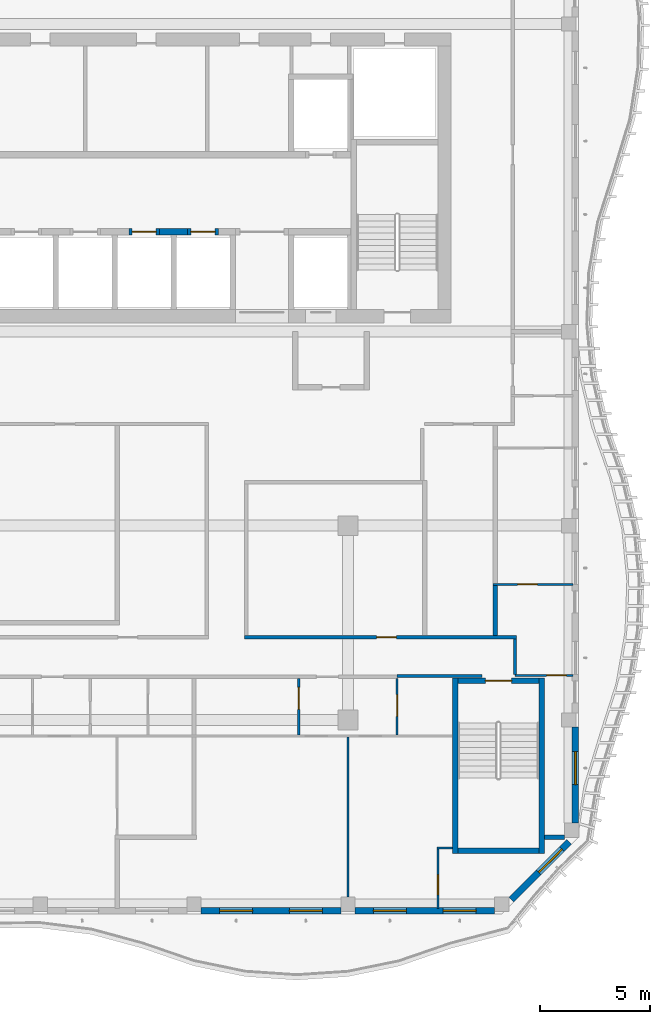
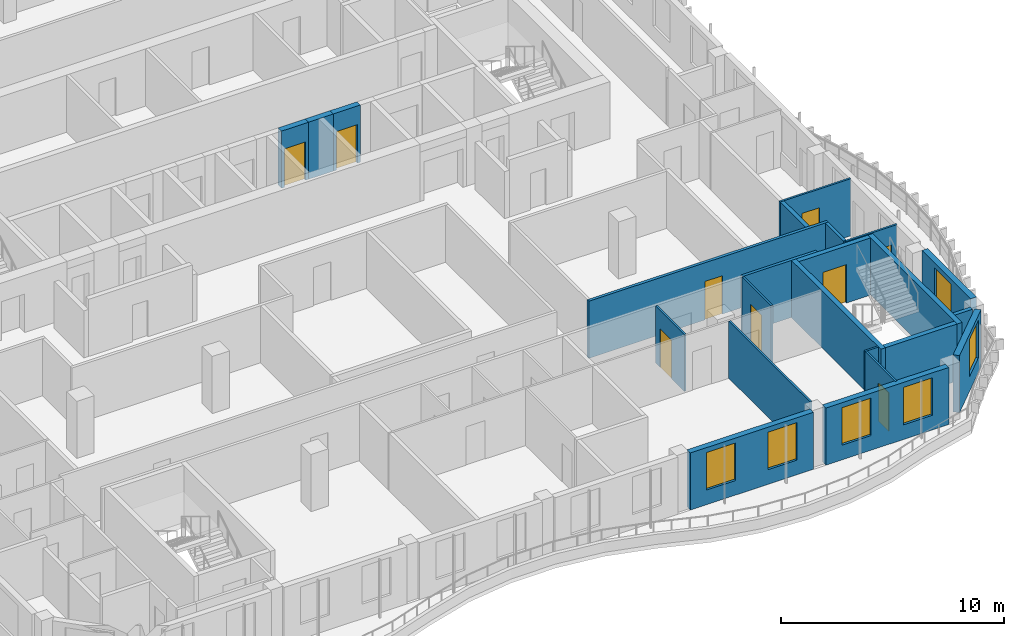
# One storey, part 5 of 18: 23 walls, 9 doors, 6 windows, 15 openings.
"""IFC4 building model written with IfcOpenShell, lengths in metres."""

from ifc_helpers import new_model, si_unit, direction, frame, frame_2d, origin, place, context, subcontext, project, spatial, rectangle, extrude, source, transform, mapped, material, layer, layer_set, type_object, element, fill, save


model = new_model("IFC4")

# Units and contexts
model_context = context("Model", 3, precision=1e-05, world=origin(), true_north=direction((0.0, 1.0)))
body_context = subcontext(model_context, "Body", "Model", "MODEL_VIEW")
ifc_project = project(units=[si_unit("LENGTHUNIT", "METRE"), si_unit("AREAUNIT", "SQUARE_METRE"), si_unit("VOLUMEUNIT", "CUBIC_METRE"), si_unit("PLANEANGLEUNIT", "RADIAN"), si_unit("MASSUNIT", "GRAM", prefix="KILO")], contexts=[model_context])

# Site, building, storey
site_placement = place(None, origin())
site = spatial("IfcSite", under=ifc_project, at=site_placement, CompositionType="ELEMENT")
building_placement = place(site_placement, origin())
building = spatial("IfcBuilding", under=site, at=building_placement, Name="Kilnfold Tower and Market Hall", CompositionType="ELEMENT")
storey_placement = place(building_placement, frame((0.0, 0.0, 270.39990234375)))
storey = spatial("IfcBuildingStorey", under=building, at=storey_placement, Name="L66", CompositionType="ELEMENT", Elevation=270.39990234375)

# Walls
ifc_material_1 = material(Name="Gypsum board on steel studs", Category="steel")
ifc_layer_1 = layer(ifc_material_1, 0.14990234375)
ifc_layer_set_1 = layer_set([ifc_layer_1], Name="Gypsum board on steel studs")
wall_type_1 = type_object("IfcWallType", Name="WALL CORRIDOR 150", PredefinedType="PARTITIONING", material=ifc_layer_set_1)
wall_1_placement = place(storey_placement, frame((15.22998046875, -7.669921875, 0.0), z_axis=(0.0, 0.0, 1.0), x_axis=(1.0, 0.0, 0.0)))
element("IfcWall", 1, at=wall_1_placement, inside=storey, type_object=wall_type_1, Name="Partition LY41.16", PredefinedType="PARTITIONING", context=body_context, shape_type="SweptSolid", body=[
    extrude(rectangle(XDim=3.8701171875, YDim=0.14990234375, at=frame_2d((1.93505859375, 0.0))), origin(), (0.0, 0.0, 1.0), 3.1201171875),
])
wall_2_placement = place(storey_placement, frame((20.60009765625, -7.60009765625, 0.0), z_axis=(0.0, 0.0, 1.0), x_axis=(0.0, 1.0, 0.0)))
element("IfcWall", 2, at=wall_2_placement, inside=storey, type_object=wall_type_1, Name="Partition LY41.17", PredefinedType="PARTITIONING", context=body_context, shape_type="SweptSolid", body=[
    extrude(rectangle(XDim=1.625, YDim=0.14990234375, at=frame_2d((0.8125, 0.0))), origin(), (0.0, 0.0, 1.0), 3.1201171875),
])

# Wall, opening, door
wall_3_placement = place(storey_placement, frame((8.304931640625, -5.89990234375, 0.0), z_axis=(0.0, 0.0, 1.0), x_axis=(1.0, 0.0, 0.0)))
wall_3 = element("IfcWall", 3, at=wall_3_placement, inside=storey, type_object=wall_type_1, Name="Partition LY41.35", PredefinedType="PARTITIONING", context=body_context, shape_type="SweptSolid", body=[
    extrude(rectangle(XDim=12.3701171875, YDim=0.14990234375, at=frame_2d((6.18505859375, 0.0))), origin(), (0.0, 0.0, 1.0), 3.1201171875),
])
opening_1_placement = place(wall_3_placement, frame((6.00390625, 0.0, 0.0)))
opening_1 = element("IfcOpeningElement", 4, at=opening_1_placement, cuts=wall_3, Name="Opening D2", PredefinedType="OPENING", context=body_context, shape_type="SweptSolid", body=[
    extrude(rectangle(XDim=0.89990234375, YDim=2.10009765625, at=frame_2d((0.449951171875, 1.050048828125))), frame((0.0, 0.0849609375, 0.0), z_axis=(0.0, -1.0, 0.0), x_axis=(1.0, 0.0, 0.0)), (0.0, 0.0, 1.0), 0.169921875),
])
ifc_material_2 = material(Name="Timber veneer door leaf in steel frame", Category="steel")
door_type_1 = type_object("IfcDoorType", Name="DOOR ROOM 900 X2100", OperationType="NOTDEFINED", PredefinedType="DOOR", material=ifc_material_2)
door_1_placement = place(opening_1_placement, origin())
door_1 = element("IfcDoor", 5, at=door_1_placement, inside=storey, type_object=door_type_1, Name="Door D2", OperationType="SINGLE_SWING_RIGHT", OverallHeight=2.10009765625, OverallWidth=0.89990234375, PredefinedType="DOOR", context=body_context, shape_type="SweptSolid", body=[
    extrude(rectangle(XDim=0.89990234375, YDim=2.10009765625, at=frame_2d((0.449951171875, 1.050048828125))), frame((0.0, 0.02490234375, 0.0), z_axis=(0.0, -1.0, 0.0), x_axis=(1.0, 0.0, 0.0)), (0.0, 0.0, 1.0), 0.050048828125),
])
fill(opening_1, door_1)

ifc_material_3 = material(Name="Gypsum board on steel studs", Category="steel")
ifc_layer_2 = layer(ifc_material_3, 0.10009765625)
ifc_layer_set_2 = layer_set([ifc_layer_2], Name="Gypsum board on steel studs")
wall_type_2 = type_object("IfcWallType", Name="WALL PARTITION 100", PredefinedType="PARTITIONING", material=ifc_layer_set_2)
wall_4_placement = place(storey_placement, frame((10.760009765625, -10.35009765625, 0.0), z_axis=(0.0, 0.0, 1.0), x_axis=(0.0, 1.0, 0.0)))
wall_4 = element("IfcWall", 6, at=wall_4_placement, inside=storey, type_object=wall_type_2, Name="Partition LY41.66", PredefinedType="PARTITIONING", context=body_context, shape_type="SweptSolid", body=[
    extrude(rectangle(XDim=2.572998046875, YDim=0.10009765625, at=frame_2d((1.28662109375, 0.0))), origin(), (0.0, 0.0, 1.0), 3.1201171875),
])
opening_2_placement = place(wall_4_placement, frame((1.159912109375, 0.0, 0.0)))
opening_2 = element("IfcOpeningElement", 7, at=opening_2_placement, cuts=wall_4, Name="Opening D1", PredefinedType="OPENING", context=body_context, shape_type="SweptSolid", body=[
    extrude(rectangle(XDim=1.0, YDim=2.10009765625, at=frame_2d((0.5, 1.050048828125))), frame((0.0, 0.06005859375, 0.0), z_axis=(0.0, -1.0, 0.0), x_axis=(1.0, 0.0, 0.0)), (0.0, 0.0, 1.0), 0.1201171875),
])
ifc_material_4 = material(Name="Timber veneer door leaf in steel frame", Category="steel")
door_type_2 = type_object("IfcDoorType", Name="DOOR ENTRY 1000 X2100", OperationType="NOTDEFINED", PredefinedType="DOOR", material=ifc_material_4)
door_2_placement = place(opening_2_placement, origin())
door_2 = element("IfcDoor", 8, at=door_2_placement, inside=storey, type_object=door_type_2, Name="Door D1", OperationType="SINGLE_SWING_LEFT", OverallHeight=2.10009765625, OverallWidth=1.0, PredefinedType="DOOR", context=body_context, shape_type="SweptSolid", body=[
    extrude(rectangle(XDim=1.0, YDim=2.10009765625, at=frame_2d((0.5, 1.050048828125))), frame((0.0, 0.02490234375, 0.0), z_axis=(0.0, -1.0, 0.0), x_axis=(1.0, 0.0, 0.0)), (0.0, 0.0, 1.0), 0.050048828125),
])
fill(opening_2, door_2)

wall_5_placement = place(storey_placement, frame((15.239990234375, -10.35009765625, 0.0), z_axis=(0.0, 0.0, 1.0), x_axis=(0.0, 1.0, 0.0)))
wall_5 = element("IfcWall", 9, at=wall_5_placement, inside=storey, type_object=wall_type_2, Name="Partition LY41.67", PredefinedType="PARTITIONING", context=body_context, shape_type="SweptSolid", body=[
    extrude(rectangle(XDim=2.572998046875, YDim=0.10009765625, at=frame_2d((1.28662109375, 0.0))), origin(), (0.0, 0.0, 1.0), 3.1201171875),
])
opening_3_placement = place(wall_5_placement, frame((0.840087890625, 0.0, 0.0)))
opening_3 = element("IfcOpeningElement", 10, at=opening_3_placement, cuts=wall_5, Name="Opening D1", PredefinedType="OPENING", context=body_context, shape_type="SweptSolid", body=[
    extrude(rectangle(XDim=1.0, YDim=2.10009765625, at=frame_2d((0.5, 1.050048828125))), frame((0.0, 0.06005859375, 0.0), z_axis=(0.0, -1.0, 0.0), x_axis=(1.0, 0.0, 0.0)), (0.0, 0.0, 1.0), 0.1201171875),
])
door_3_placement = place(opening_3_placement, origin())
door_3 = element("IfcDoor", 11, at=door_3_placement, inside=storey, type_object=door_type_2, Name="Door D1", OperationType="SINGLE_SWING_LEFT", OverallHeight=2.10009765625, OverallWidth=1.0, PredefinedType="DOOR", context=body_context, shape_type="SweptSolid", body=[
    extrude(rectangle(XDim=1.0, YDim=2.10009765625, at=frame_2d((0.5, 1.050048828125))), frame((0.0, 0.02490234375, 0.0), z_axis=(0.0, -1.0, 0.0), x_axis=(1.0, 0.0, 0.0)), (0.0, 0.0, 1.0), 0.050048828125),
])
fill(opening_3, door_3)

# Walls
wall_6_placement = place(storey_placement, frame((13.0, -17.72509765625, 0.0), z_axis=(0.0, 0.0, 1.0), x_axis=(0.0, 1.0, 0.0)))
element("IfcWall", 12, at=wall_6_placement, inside=storey, type_object=wall_type_2, Name="Partition LY41.68", PredefinedType="PARTITIONING", context=body_context, shape_type="SweptSolid", body=[
    extrude(rectangle(XDim=7.273193359375, YDim=0.10009765625, at=frame_2d((3.63671875, 0.0))), origin(), (0.0, 0.0, 1.0), 3.1201171875),
])
wall_7_placement = place(storey_placement, frame((17.050048828125, -15.5, 0.0), z_axis=(0.0, 0.0, 1.0), x_axis=(1.0, 0.0, 0.0)))
element("IfcWall", 13, at=wall_7_placement, inside=storey, type_object=wall_type_2, Name="Partition LY41.69", PredefinedType="PARTITIONING", context=body_context, shape_type="SweptSolid", body=[
    extrude(rectangle(XDim=0.699951171875, YDim=0.10009765625, at=frame_2d((0.35009765625, 0.0))), origin(), (0.0, 0.0, 1.0), 3.1201171875),
])

# Wall, opening, door
wall_8_placement = place(storey_placement, frame((17.10009765625, -18.25, 0.0), z_axis=(0.0, 0.0, 1.0), x_axis=(0.0, 1.0, 0.0)))
wall_8 = element("IfcWall", 14, at=wall_8_placement, inside=storey, type_object=wall_type_2, Name="Partition LY41.70", PredefinedType="PARTITIONING", context=body_context, shape_type="SweptSolid", body=[
    extrude(rectangle(XDim=2.699951171875, YDim=0.10009765625, at=frame_2d((1.35009765625, 0.0))), origin(), (0.0, 0.0, 1.0), 3.1201171875),
])
opening_4_placement = place(wall_8_placement, frame((0.631103515625, 0.0, 0.0)))
opening_4 = element("IfcOpeningElement", 15, at=opening_4_placement, cuts=wall_8, Name="Opening D2", PredefinedType="OPENING", context=body_context, shape_type="SweptSolid", body=[
    extrude(rectangle(XDim=0.89990234375, YDim=2.10009765625, at=frame_2d((0.449951171875, 1.050048828125))), frame((0.0, 0.06005859375, 0.0), z_axis=(0.0, -1.0, 0.0), x_axis=(1.0, 0.0, 0.0)), (0.0, 0.0, 1.0), 0.1201171875),
])
door_4_placement = place(opening_4_placement, origin())
door_4 = element("IfcDoor", 16, at=door_4_placement, inside=storey, type_object=door_type_1, Name="Door D2", OperationType="SINGLE_SWING_LEFT", OverallHeight=2.10009765625, OverallWidth=0.89990234375, PredefinedType="DOOR", context=body_context, shape_type="SweptSolid", body=[
    extrude(rectangle(XDim=0.89990234375, YDim=2.10009765625, at=frame_2d((0.449951171875, 1.050048828125))), frame((0.0, 0.02490234375, 0.0), z_axis=(0.0, -1.0, 0.0), x_axis=(1.0, 0.0, 0.0)), (0.0, 0.0, 1.0), 0.050048828125),
])
fill(opening_4, door_4)

wall_9_placement = place(storey_placement, frame((23.25, -7.639892578125, 0.0), z_axis=(0.0, 0.0, 1.0), x_axis=(-1.0, 0.0, 0.0)))
wall_9 = element("IfcWall", 17, at=wall_9_placement, inside=storey, type_object=wall_type_2, Name="Partition LY41.72", PredefinedType="PARTITIONING", context=body_context, shape_type="SweptSolid", body=[
    extrude(rectangle(XDim=2.64990234375, YDim=0.10009765625, at=frame_2d((1.324951171875, 0.0))), origin(), (0.0, 0.0, 1.0), 3.1201171875),
])
opening_5_placement = place(wall_9_placement, frame((0.303955078125, 0.0, 0.0)))
opening_5 = element("IfcOpeningElement", 18, at=opening_5_placement, cuts=wall_9, Name="Opening D2", PredefinedType="OPENING", context=body_context, shape_type="SweptSolid", body=[
    extrude(rectangle(XDim=0.89990234375, YDim=2.10009765625, at=frame_2d((0.449951171875, 1.050048828125))), frame((0.0, 0.06005859375, 0.0), z_axis=(0.0, -1.0, 0.0), x_axis=(1.0, 0.0, 0.0)), (0.0, 0.0, 1.0), 0.1201171875),
])
door_5_placement = place(opening_5_placement, origin())
door_5 = element("IfcDoor", 19, at=door_5_placement, inside=storey, type_object=door_type_1, Name="Door D2", OperationType="SINGLE_SWING_LEFT", OverallHeight=2.10009765625, OverallWidth=0.89990234375, PredefinedType="DOOR", context=body_context, shape_type="SweptSolid", body=[
    extrude(rectangle(XDim=0.89990234375, YDim=2.10009765625, at=frame_2d((0.449951171875, 1.050048828125))), frame((0.0, 0.02490234375, 0.0), z_axis=(0.0, -1.0, 0.0), x_axis=(1.0, 0.0, 0.0)), (0.0, 0.0, 1.0), 0.050048828125),
])
fill(opening_5, door_5)

wall_10_placement = place(storey_placement, frame((23.25, -3.5, 0.0), z_axis=(0.0, 0.0, 1.0), x_axis=(-1.0, 0.0, 0.0)))
wall_10 = element("IfcWall", 20, at=wall_10_placement, inside=storey, type_object=wall_type_2, Name="Partition LY41.73", PredefinedType="PARTITIONING", context=body_context, shape_type="SweptSolid", body=[
    extrude(rectangle(XDim=3.64990234375, YDim=0.10009765625, at=frame_2d((1.824951171875, 0.0))), origin(), (0.0, 0.0, 1.0), 3.1201171875),
])
opening_6_placement = place(wall_10_placement, frame((1.6298828125, 0.0, 0.0)))
opening_6 = element("IfcOpeningElement", 21, at=opening_6_placement, cuts=wall_10, Name="Opening D2", PredefinedType="OPENING", context=body_context, shape_type="SweptSolid", body=[
    extrude(rectangle(XDim=0.89990234375, YDim=2.10009765625, at=frame_2d((0.449951171875, 1.050048828125))), frame((0.0, 0.06005859375, 0.0), z_axis=(0.0, -1.0, 0.0), x_axis=(1.0, 0.0, 0.0)), (0.0, 0.0, 1.0), 0.1201171875),
])
door_6_placement = place(opening_6_placement, origin())
door_6 = element("IfcDoor", 22, at=door_6_placement, inside=storey, type_object=door_type_1, Name="Door D2", OperationType="SINGLE_SWING_RIGHT", OverallHeight=2.10009765625, OverallWidth=0.89990234375, PredefinedType="DOOR", context=body_context, shape_type="SweptSolid", body=[
    extrude(rectangle(XDim=0.89990234375, YDim=2.10009765625, at=frame_2d((0.449951171875, 1.050048828125))), frame((0.0, 0.02490234375, 0.0), z_axis=(0.0, -1.0, 0.0), x_axis=(1.0, 0.0, 0.0)), (0.0, 0.0, 1.0), 0.050048828125),
])
fill(opening_6, door_6)

# Walls
ifc_material_5 = material(Name="Gypsum board on steel studs", Category="steel")
ifc_layer_3 = layer(ifc_material_5, 0.199951171875)
ifc_layer_set_3 = layer_set([ifc_layer_3], Name="Gypsum board on steel studs")
wall_type_3 = type_object("IfcWallType", Name="WALL PARTY 200", PredefinedType="PARTITIONING", material=ifc_layer_set_3)
wall_11_placement = place(storey_placement, frame((21.949951171875, -15.0, 0.0), z_axis=(0.0, 0.0, 1.0), x_axis=(1.0, 0.0, 0.0)))
element("IfcWall", 23, at=wall_11_placement, inside=storey, type_object=wall_type_3, Name="Partition LY41.71", PredefinedType="PARTITIONING", context=body_context, shape_type="SweptSolid", body=[
    extrude(rectangle(XDim=0.906982421875, YDim=0.199951171875, at=frame_2d((0.45361328125, 0.0))), origin(), (0.0, 0.0, 1.0), 3.1201171875),
])
wall_12_placement = place(storey_placement, frame((19.699951171875, -5.822998046875, 0.0), z_axis=(0.0, 0.0, 1.0), x_axis=(0.0, 1.0, 0.0)))
element("IfcWall", 24, at=wall_12_placement, inside=storey, type_object=wall_type_3, Name="Partition LY41.74", PredefinedType="PARTITIONING", context=body_context, shape_type="SweptSolid", body=[
    extrude(rectangle(XDim=2.27294921875, YDim=0.199951171875, at=frame_2d((1.136474609375, 0.0))), origin(), (0.0, 0.0, 1.0), 3.1201171875),
])
ifc_material_6 = material(Name="Concrete C50", Category="concrete")
ifc_layer_4 = layer(ifc_material_6, 0.25)
ifc_layer_set_4 = layer_set([ifc_layer_4], Name="Concrete C50")
wall_type_4 = type_object("IfcWallType", Name="CORE WALL 250 C50", PredefinedType="SHEAR", material=ifc_layer_set_4)
shared_shape_1 = source(origin(), body_context, "Body", "SweptSolid", [
    extrude(rectangle(XDim=3.699951171875, YDim=0.25, at=frame_2d((1.85009765625, 0.0))), origin(), (0.0, 0.0, 1.0), 3.1201171875),
])
wall_13_placement = place(storey_placement, frame((18.0, -15.625, 0.0), z_axis=(0.0, 0.0, 1.0), x_axis=(1.0, 0.0, 0.0)))
element("IfcWall", 25, at=wall_13_placement, inside=storey, type_object=wall_type_4, Name="Stair enclosure ST4", PredefinedType="SHEAR", context=body_context, shape_type="MappedRepresentation", body=[
    mapped(shared_shape_1, transform((0.0, 0.0, 0.0))),
])

# Wall, opening, door
wall_14_placement = place(storey_placement, frame((18.0, -7.875, 0.0), z_axis=(0.0, 0.0, 1.0), x_axis=(1.0, 0.0, 0.0)))
wall_14 = element("IfcWall", 26, at=wall_14_placement, inside=storey, type_object=wall_type_4, Name="Stair enclosure ST4", PredefinedType="SHEAR", context=body_context, shape_type="MappedRepresentation", body=[
    mapped(shared_shape_1, transform((0.0, 0.0, 0.0))),
])
opening_7_placement = place(wall_14_placement, frame((1.25, 0.0, 0.0)))
opening_7 = element("IfcOpeningElement", 27, at=opening_7_placement, cuts=wall_14, Name="Opening SD1", PredefinedType="OPENING", context=body_context, shape_type="SweptSolid", body=[
    extrude(rectangle(XDim=1.199951171875, YDim=2.10009765625, at=frame_2d((0.60009765625, 1.050048828125))), frame((0.0, 0.135009765625, 0.0), z_axis=(0.0, -1.0, 0.0), x_axis=(1.0, 0.0, 0.0)), (0.0, 0.0, 1.0), 0.27001953125),
])
ifc_material_7 = material(Name="Steel door set with fire-resisting leaf", Category="steel")
door_type_3 = type_object("IfcDoorType", Name="STAIR FLOOR DOOR 1200X2100", OperationType="NOTDEFINED", PredefinedType="DOOR", material=ifc_material_7)
door_7_placement = place(opening_7_placement, origin())
door_7 = element("IfcDoor", 28, at=door_7_placement, inside=storey, type_object=door_type_3, Name="Exit stair ST4 door", OperationType="DOUBLE_DOOR_SINGLE_SWING", OverallHeight=2.10009765625, OverallWidth=1.199951171875, PredefinedType="DOOR", context=body_context, shape_type="SweptSolid", body=[
    extrude(rectangle(XDim=1.199951171875, YDim=2.10009765625, at=frame_2d((0.60009765625, 1.050048828125))), frame((0.0, 0.02490234375, 0.0), z_axis=(0.0, -1.0, 0.0), x_axis=(1.0, 0.0, 0.0)), (0.0, 0.0, 1.0), 0.050048828125),
])
fill(opening_7, door_7)

# Walls
shared_shape_2 = source(origin(), body_context, "Body", "SweptSolid", [
    extrude(rectangle(XDim=8.0, YDim=0.25, at=frame_2d((4.0, 0.0))), origin(), (0.0, 0.0, 1.0), 3.1201171875),
])
for number, where, z_axis, x_axis, name in (
    (29, (17.875, -15.75, 0.0), (0.0, 0.0, 1.0), (0.0, 1.0, 0.0), "Stair enclosure ST4"),
    (30, (21.824951171875, -15.75, 0.0), (0.0, 0.0, 1.0), (0.0, 1.0, 0.0), "Stair enclosure ST4"),
):
    element("IfcWall", number, at=place(storey_placement, frame(where, z_axis=z_axis, x_axis=x_axis)), inside=storey, type_object=wall_type_4, Name=name, PredefinedType="SHEAR", context=body_context, shape_type="MappedRepresentation", body=[
        mapped(shared_shape_2, transform((0.0, 0.0, 0.0))),
    ])
ifc_material_8 = material(Name="Concrete C50", Category="concrete")
ifc_layer_5 = layer(ifc_material_8, 0.300048828125)
ifc_layer_set_5 = layer_set([ifc_layer_5], Name="Concrete C50")
wall_type_5 = type_object("IfcWallType", Name="CORE WALL 300 C50", PredefinedType="SHEAR", material=ifc_layer_set_5)
shared_shape_3 = source(origin(), body_context, "Body", "SweptSolid", [
    extrude(rectangle(XDim=1.280029296875, YDim=0.300048828125, at=frame_2d((0.64013671875, 0.0))), origin(), (0.0, 0.0, 1.0), 3.1201171875),
])
wall_15_placement = place(storey_placement, frame((4.429931640625, 12.550048828125, 0.0), z_axis=(0.0, 0.0, 1.0), x_axis=(1.0, 0.0, 0.0)))
element("IfcWall", 31, at=wall_15_placement, inside=storey, type_object=wall_type_5, Name="Core spine wall", PredefinedType="SHEAR", context=body_context, shape_type="MappedRepresentation", body=[
    mapped(shared_shape_3, transform((0.0, 0.0, 0.0))),
])

# Wall, openings, windows
ifc_material_9 = material(Name="Precast concrete C50/60", Category="concrete")
ifc_layer_6 = layer(ifc_material_9, 0.300048828125)
ifc_layer_set_6 = layer_set([ifc_layer_6], Name="Precast concrete C50/60")
wall_type_6 = type_object("IfcWallType", Name="PRECAST WALL 300", PredefinedType="SOLIDWALL", material=ifc_layer_set_6)
shared_shape_4 = source(origin(), body_context, "Body", "SweptSolid", [
    extrude(rectangle(XDim=6.35009765625, YDim=0.300048828125, at=frame_2d((3.175048828125, 0.0))), origin(), (0.0, 0.0, 1.0), 3.1201171875),
])
wall_16_placement = place(storey_placement, frame((6.324951171875, -18.35009765625, 0.0), z_axis=(0.0, 0.0, 1.0), x_axis=(1.0, 0.0, 0.0)))
wall_16 = element("IfcWall", 32, at=wall_16_placement, inside=storey, type_object=wall_type_6, Name="External wall L66 S", PredefinedType="SOLIDWALL", context=body_context, shape_type="MappedRepresentation", body=[
    mapped(shared_shape_4, transform((0.0, 0.0, 0.0))),
])
opening_8_placement = place(wall_16_placement, frame((0.83740234375, 0.0, 0.800048828125)))
opening_8 = element("IfcOpeningElement", 33, at=opening_8_placement, cuts=wall_16, Name="Opening W5", PredefinedType="OPENING", context=body_context, shape_type="SweptSolid", body=[
    extrude(rectangle(XDim=1.5, YDim=2.050048828125, at=frame_2d((0.75, 1.02490234375))), frame((0.0, 0.16015625, 0.0), z_axis=(0.0, -1.0, 0.0), x_axis=(1.0, 0.0, 0.0)), (0.0, 0.0, 1.0), 0.320068359375),
])
opening_9_placement = place(wall_16_placement, frame((4.012451171875, 0.0, 0.800048828125)))
opening_9 = element("IfcOpeningElement", 34, at=opening_9_placement, cuts=wall_16, Name="Opening W5", PredefinedType="OPENING", context=body_context, shape_type="SweptSolid", body=[
    extrude(rectangle(XDim=1.5, YDim=2.050048828125, at=frame_2d((0.75, 1.02490234375))), frame((0.0, 0.16015625, 0.0), z_axis=(0.0, -1.0, 0.0), x_axis=(1.0, 0.0, 0.0)), (0.0, 0.0, 1.0), 0.320068359375),
])
ifc_material_10 = material(Name="Aluminium frame and double glazing", Category="aluminium")
window_type = type_object("IfcWindowType", Name="WINDOW W5 1500X2050", PartitioningType="SINGLE_PANEL", PredefinedType="WINDOW", material=ifc_material_10)
window_1_placement = place(opening_8_placement, origin())
window_1 = element("IfcWindow", 35, at=window_1_placement, inside=storey, type_object=window_type, Name="Window W5 L66 S-1", OverallHeight=2.050048828125, OverallWidth=1.5, PartitioningType="SINGLE_PANEL", PredefinedType="WINDOW", context=body_context, shape_type="SweptSolid", body=[
    extrude(rectangle(XDim=1.5, YDim=2.050048828125, at=frame_2d((0.75, 1.02490234375))), frame((0.0, 0.030029296875, 0.0), z_axis=(0.0, -1.0, 0.0), x_axis=(1.0, 0.0, 0.0)), (0.0, 0.0, 1.0), 0.06005859375),
])
fill(opening_8, window_1)
window_2_placement = place(opening_9_placement, origin())
window_2 = element("IfcWindow", 36, at=window_2_placement, inside=storey, type_object=window_type, Name="Window W5 L66 S-2", OverallHeight=2.050048828125, OverallWidth=1.5, PartitioningType="SINGLE_PANEL", PredefinedType="WINDOW", context=body_context, shape_type="SweptSolid", body=[
    extrude(rectangle(XDim=1.5, YDim=2.050048828125, at=frame_2d((0.75, 1.02490234375))), frame((0.0, 0.030029296875, 0.0), z_axis=(0.0, -1.0, 0.0), x_axis=(1.0, 0.0, 0.0)), (0.0, 0.0, 1.0), 0.06005859375),
])
fill(opening_9, window_2)

wall_17_placement = place(storey_placement, frame((13.324951171875, -18.35009765625, 0.0), z_axis=(0.0, 0.0, 1.0), x_axis=(1.0, 0.0, 0.0)))
wall_17 = element("IfcWall", 37, at=wall_17_placement, inside=storey, type_object=wall_type_6, Name="External wall L66 S", PredefinedType="SOLIDWALL", context=body_context, shape_type="MappedRepresentation", body=[
    mapped(shared_shape_4, transform((0.0, 0.0, 0.0))),
])
opening_10_placement = place(wall_17_placement, frame((0.83740234375, 0.0, 0.800048828125)))
opening_10 = element("IfcOpeningElement", 38, at=opening_10_placement, cuts=wall_17, Name="Opening W5", PredefinedType="OPENING", context=body_context, shape_type="SweptSolid", body=[
    extrude(rectangle(XDim=1.5, YDim=2.050048828125, at=frame_2d((0.75, 1.02490234375))), frame((0.0, 0.16015625, 0.0), z_axis=(0.0, -1.0, 0.0), x_axis=(1.0, 0.0, 0.0)), (0.0, 0.0, 1.0), 0.320068359375),
])
opening_11_placement = place(wall_17_placement, frame((4.012451171875, 0.0, 0.800048828125)))
opening_11 = element("IfcOpeningElement", 39, at=opening_11_placement, cuts=wall_17, Name="Opening W5", PredefinedType="OPENING", context=body_context, shape_type="SweptSolid", body=[
    extrude(rectangle(XDim=1.5, YDim=2.050048828125, at=frame_2d((0.75, 1.02490234375))), frame((0.0, 0.16015625, 0.0), z_axis=(0.0, -1.0, 0.0), x_axis=(1.0, 0.0, 0.0)), (0.0, 0.0, 1.0), 0.320068359375),
])
window_3_placement = place(opening_10_placement, origin())
window_3 = element("IfcWindow", 40, at=window_3_placement, inside=storey, type_object=window_type, Name="Window W5 L66 S-1", OverallHeight=2.050048828125, OverallWidth=1.5, PartitioningType="SINGLE_PANEL", PredefinedType="WINDOW", context=body_context, shape_type="SweptSolid", body=[
    extrude(rectangle(XDim=1.5, YDim=2.050048828125, at=frame_2d((0.75, 1.02490234375))), frame((0.0, 0.030029296875, 0.0), z_axis=(0.0, -1.0, 0.0), x_axis=(1.0, 0.0, 0.0)), (0.0, 0.0, 1.0), 0.06005859375),
])
fill(opening_10, window_3)
window_4_placement = place(opening_11_placement, origin())
window_4 = element("IfcWindow", 41, at=window_4_placement, inside=storey, type_object=window_type, Name="Window W5 L66 S-2", OverallHeight=2.050048828125, OverallWidth=1.5, PartitioningType="SINGLE_PANEL", PredefinedType="WINDOW", context=body_context, shape_type="SweptSolid", body=[
    extrude(rectangle(XDim=1.5, YDim=2.050048828125, at=frame_2d((0.75, 1.02490234375))), frame((0.0, 0.030029296875, 0.0), z_axis=(0.0, -1.0, 0.0), x_axis=(1.0, 0.0, 0.0)), (0.0, 0.0, 1.0), 0.06005859375),
])
fill(opening_11, window_4)

# Wall, opening, window
shared_shape_5 = source(origin(), body_context, "Body", "SweptSolid", [
    extrude(rectangle(XDim=3.71240234375, YDim=0.300048828125, at=frame_2d((1.856201171875, 0.0))), origin(), (0.0, 0.0, 1.0), 3.1201171875),
])
wall_18_placement = place(storey_placement, frame((20.44384765625, -17.843994140625, 0.0), z_axis=(0.0, 0.0, 1.0), x_axis=(0.707106781187, 0.707106781187, 0.0)))
wall_18 = element("IfcWall", 42, at=wall_18_placement, inside=storey, type_object=wall_type_6, Name="External wall L66 SE", PredefinedType="SOLIDWALL", context=body_context, shape_type="MappedRepresentation", body=[
    mapped(shared_shape_5, transform((0.0, 0.0, 0.0))),
])
opening_12_placement = place(wall_18_placement, frame((1.75, 0.0, 0.800048828125)))
opening_12 = element("IfcOpeningElement", 43, at=opening_12_placement, cuts=wall_18, Name="Opening W5", PredefinedType="OPENING", context=body_context, shape_type="SweptSolid", body=[
    extrude(rectangle(XDim=1.5, YDim=2.050048828125, at=frame_2d((0.75, 1.02490234375))), frame((0.0, 0.16015625, 0.0), z_axis=(0.0, -1.0, 0.0), x_axis=(1.0, 0.0, 0.0)), (0.0, 0.0, 1.0), 0.320068359375),
])
window_5_placement = place(opening_12_placement, origin())
window_5 = element("IfcWindow", 44, at=window_5_placement, inside=storey, type_object=window_type, Name="Window W5 L66 SE-1", OverallHeight=2.050048828125, OverallWidth=1.5, PartitioningType="SINGLE_PANEL", PredefinedType="WINDOW", context=body_context, shape_type="SweptSolid", body=[
    extrude(rectangle(XDim=1.5, YDim=2.050048828125, at=frame_2d((0.75, 1.02490234375))), frame((0.0, 0.030029296875, 0.0), z_axis=(0.0, -1.0, 0.0), x_axis=(1.0, 0.0, 0.0)), (0.0, 0.0, 1.0), 0.06005859375),
])
fill(opening_12, window_5)

shared_shape_6 = source(origin(), body_context, "Body", "SweptSolid", [
    extrude(rectangle(XDim=4.364990234375, YDim=0.300048828125, at=frame_2d((2.1826171875, 0.0))), origin(), (0.0, 0.0, 1.0), 3.1201171875),
])
wall_19_placement = place(storey_placement, frame((23.35009765625, -14.356689453125, 0.0), z_axis=(0.0, 0.0, 1.0), x_axis=(0.0, 1.0, 0.0)))
wall_19 = element("IfcWall", 45, at=wall_19_placement, inside=storey, type_object=wall_type_6, Name="External wall L66 E", PredefinedType="SOLIDWALL", context=body_context, shape_type="MappedRepresentation", body=[
    mapped(shared_shape_6, transform((0.0, 0.0, 0.0))),
])
opening_13_placement = place(wall_19_placement, frame((1.75, 0.0, 0.800048828125)))
opening_13 = element("IfcOpeningElement", 46, at=opening_13_placement, cuts=wall_19, Name="Opening W5", PredefinedType="OPENING", context=body_context, shape_type="SweptSolid", body=[
    extrude(rectangle(XDim=1.5, YDim=2.050048828125, at=frame_2d((0.75, 1.02490234375))), frame((0.0, 0.16015625, 0.0), z_axis=(0.0, -1.0, 0.0), x_axis=(1.0, 0.0, 0.0)), (0.0, 0.0, 1.0), 0.320068359375),
])
window_6_placement = place(opening_13_placement, origin())
window_6 = element("IfcWindow", 47, at=window_6_placement, inside=storey, type_object=window_type, Name="Window W5 L66 E-1", OverallHeight=2.050048828125, OverallWidth=1.5, PartitioningType="SINGLE_PANEL", PredefinedType="WINDOW", context=body_context, shape_type="SweptSolid", body=[
    extrude(rectangle(XDim=1.5, YDim=2.050048828125, at=frame_2d((0.75, 1.02490234375))), frame((0.0, 0.030029296875, 0.0), z_axis=(0.0, -1.0, 0.0), x_axis=(1.0, 0.0, 0.0)), (0.0, 0.0, 1.0), 0.06005859375),
])
fill(opening_13, window_6)

# Wall, opening, door
ifc_material_11 = material(Name="Gypsum shaft wall system")
ifc_layer_7 = layer(ifc_material_11, 0.300048828125)
ifc_layer_set_7 = layer_set([ifc_layer_7], Name="Gypsum shaft wall system")
wall_type_7 = type_object("IfcWallType", Name="SHAFT WALL 300", PredefinedType="PARTITIONING", material=ifc_layer_set_7)
shared_shape_7 = source(origin(), body_context, "Body", "SweptSolid", [
    extrude(rectangle(XDim=1.39990234375, YDim=0.300048828125, at=frame_2d((0.699951171875, 0.0))), origin(), (0.0, 0.0, 1.0), 3.1201171875),
])
wall_20_placement = place(storey_placement, frame((3.030029296875, 12.550048828125, 0.0), z_axis=(0.0, 0.0, 1.0), x_axis=(1.0, 0.0, 0.0)))
wall_20 = element("IfcWall", 48, at=wall_20_placement, inside=storey, type_object=wall_type_7, Name="Lift shaft front wall", PredefinedType="PARTITIONING", context=body_context, shape_type="MappedRepresentation", body=[
    mapped(shared_shape_7, transform((0.0, 0.0, 0.0))),
])
opening_14_placement = place(wall_20_placement, frame((0.14990234375, 0.0, 0.0)))
opening_14 = element("IfcOpeningElement", 49, at=opening_14_placement, cuts=wall_20, Name="Opening LD2", PredefinedType="OPENING", context=body_context, shape_type="SweptSolid", body=[
    extrude(rectangle(XDim=1.10009765625, YDim=2.10009765625, at=frame_2d((0.550048828125, 1.050048828125))), frame((0.0, 0.16015625, 0.0), z_axis=(0.0, -1.0, 0.0), x_axis=(1.0, 0.0, 0.0)), (0.0, 0.0, 1.0), 0.320068359375),
])
ifc_material_12 = material(Name="Steel door set with fire-resisting leaf", Category="steel")
door_type_4 = type_object("IfcDoorType", Name="LANDING DOOR 1100X2100", OperationType="NOTDEFINED", PredefinedType="DOOR", material=ifc_material_12)
door_8_placement = place(opening_14_placement, origin())
door_8 = element("IfcDoor", 50, at=door_8_placement, inside=storey, type_object=door_type_4, Name="Landing door HR4", OperationType="DOUBLE_DOOR_SLIDING", OverallHeight=2.10009765625, OverallWidth=1.10009765625, PredefinedType="DOOR", context=body_context, shape_type="SweptSolid", body=[
    extrude(rectangle(XDim=1.10009765625, YDim=2.10009765625, at=frame_2d((0.550048828125, 1.050048828125))), frame((0.0, 0.02490234375, 0.0), z_axis=(0.0, -1.0, 0.0), x_axis=(1.0, 0.0, 0.0)), (0.0, 0.0, 1.0), 0.050048828125),
])
fill(opening_14, door_8)

shared_shape_8 = source(origin(), body_context, "Body", "SweptSolid", [
    extrude(rectangle(XDim=1.400146484375, YDim=0.300048828125, at=frame_2d((0.7001953125, 0.0))), origin(), (0.0, 0.0, 1.0), 3.1201171875),
])
wall_21_placement = place(storey_placement, frame((5.7099609375, 12.550048828125, 0.0), z_axis=(0.0, 0.0, 1.0), x_axis=(1.0, 0.0, 0.0)))
wall_21 = element("IfcWall", 51, at=wall_21_placement, inside=storey, type_object=wall_type_7, Name="Lift shaft front wall", PredefinedType="PARTITIONING", context=body_context, shape_type="MappedRepresentation", body=[
    mapped(shared_shape_8, transform((0.0, 0.0, 0.0))),
])
opening_15_placement = place(wall_21_placement, frame((0.14990234375, 0.0, 0.0)))
opening_15 = element("IfcOpeningElement", 52, at=opening_15_placement, cuts=wall_21, Name="Opening LD2", PredefinedType="OPENING", context=body_context, shape_type="SweptSolid", body=[
    extrude(rectangle(XDim=1.10009765625, YDim=2.10009765625, at=frame_2d((0.550048828125, 1.050048828125))), frame((0.0, 0.16015625, 0.0), z_axis=(0.0, -1.0, 0.0), x_axis=(1.0, 0.0, 0.0)), (0.0, 0.0, 1.0), 0.320068359375),
])
door_9_placement = place(opening_15_placement, origin())
door_9 = element("IfcDoor", 53, at=door_9_placement, inside=storey, type_object=door_type_4, Name="Landing door HR5", OperationType="DOUBLE_DOOR_SLIDING", OverallHeight=2.10009765625, OverallWidth=1.10009765625, PredefinedType="DOOR", context=body_context, shape_type="SweptSolid", body=[
    extrude(rectangle(XDim=1.10009765625, YDim=2.10009765625, at=frame_2d((0.550048828125, 1.050048828125))), frame((0.0, 0.02490234375, 0.0), z_axis=(0.0, -1.0, 0.0), x_axis=(1.0, 0.0, 0.0)), (0.0, 0.0, 1.0), 0.050048828125),
])
fill(opening_15, door_9)

save(model, "model.ifc")
